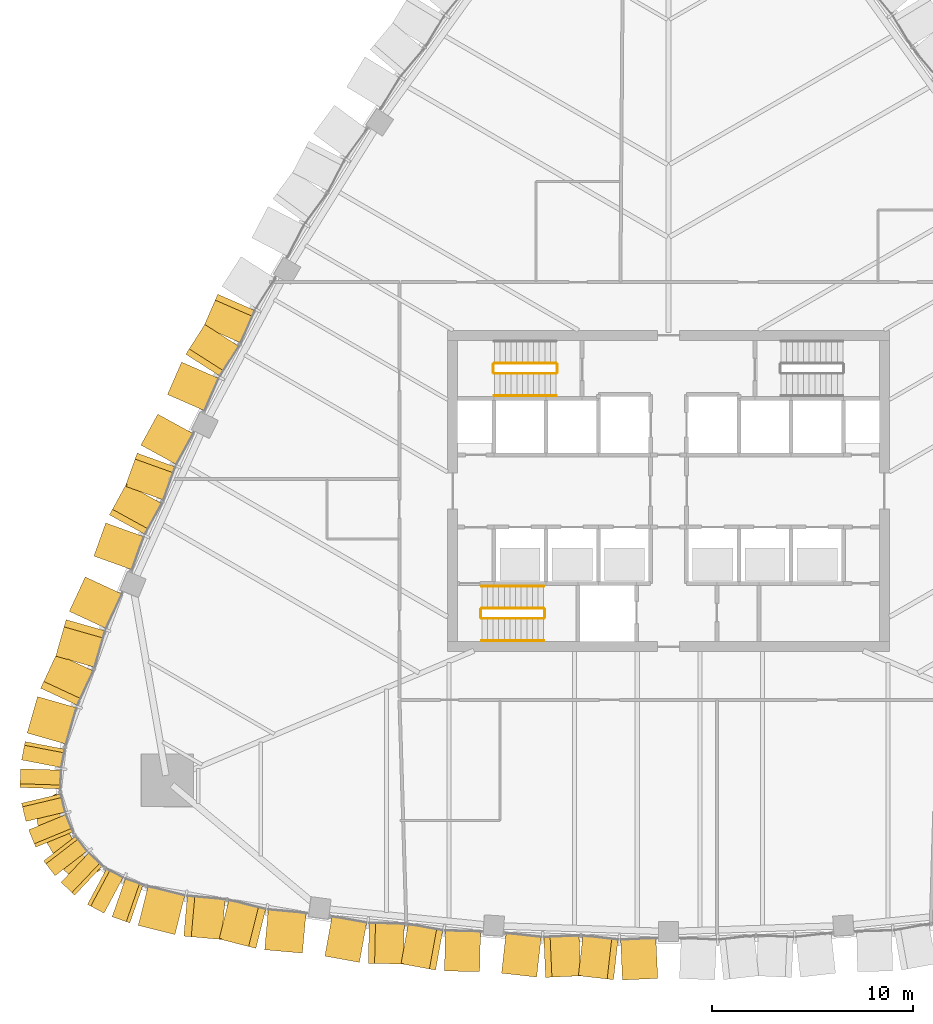
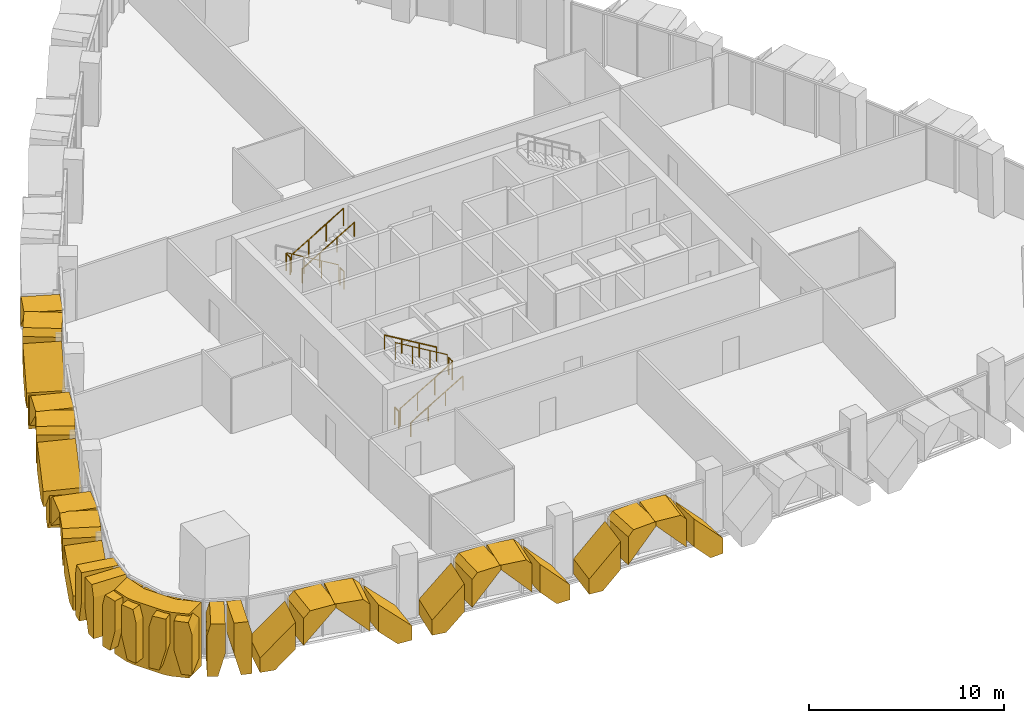
# One storey, part 15 of 18: 32 coverings, 11 railings.
"""IFC4 building model written with IfcOpenShell, lengths in metres."""

from ifc_helpers import new_model, si_unit, direction, frame, origin, origin_2d, place, context, subcontext, project, spatial, polyline, circle, outline, extrude, material, layer, layer_set, type_object, element, save


model = new_model("IFC4")

# Units and contexts
model_context = context("Model", 3, precision=1e-05, world=origin(), true_north=direction((0.0, 1.0)))
body_context = subcontext(model_context, "Body", "Model", "MODEL_VIEW")
ifc_project = project(units=[si_unit("LENGTHUNIT", "METRE"), si_unit("AREAUNIT", "SQUARE_METRE"), si_unit("VOLUMEUNIT", "CUBIC_METRE"), si_unit("PLANEANGLEUNIT", "RADIAN"), si_unit("MASSUNIT", "GRAM", prefix="KILO")], contexts=[model_context])

# Site, building, storey
site_placement = place(None, origin())
site = spatial("IfcSite", under=ifc_project, at=site_placement, CompositionType="ELEMENT")
building_placement = place(site_placement, origin())
building = spatial("IfcBuilding", under=site, at=building_placement, Name="Sierra Prisma Convention Tower", CompositionType="ELEMENT")
storey_placement = place(building_placement, frame((0.0, 0.0, 129.800048828125)))
storey = spatial("IfcBuildingStorey", under=building, at=storey_placement, Name="L27", CompositionType="ELEMENT", Elevation=129.800048828125)

# Coverings
ifc_material_1 = material(Name="Aluminium composite bronze anodised", Category="aluminium")
ifc_layer_1 = layer(ifc_material_1, 1.199951171875)
ifc_layer_set_1 = layer_set([ifc_layer_1], Name="Bronze corner pier")
covering_type_1 = type_object("IfcCoveringType", Name="Bronze corner pier", PredefinedType="CLADDING", material=ifc_layer_set_1)
covering_1_placement = place(storey_placement, frame((0.0, 0.0, -0.60009765625)))
element("IfcCovering", 1, at=covering_1_placement, inside=storey, type_object=covering_type_1, Name="Corner pier SW L27.1", PredefinedType="CLADDING", context=body_context, shape_type="SweptSolid", body=[
    extrude(outline(polyline([(-30.07275390625, -18.912353515625), (-30.3310546875, -18.60107421875), (-31.274658203125, -16.966796875), (-31.414794921875, -16.587646484375), (-31.582275390625, -15.693603515625), (-30.48046875, -15.0576171875), (-30.2353515625, -16.366943359375), (-29.2919921875, -18.001220703125), (-28.280517578125, -18.8681640625), (-29.382080078125, -19.504150390625), (-30.07275390625, -18.912353515625)])), origin(), (0.0, 0.0, 1.0), 4.0),
])
ifc_material_2 = material(Name="Aluminium 6063-T6 bronze anodised", Category="aluminium")
ifc_layer_2 = layer(ifc_material_2, 2.0)
ifc_layer_set_2 = layer_set([ifc_layer_2], Name="Bronze crystal chevron frame")
covering_type_2 = type_object("IfcCoveringType", Name="Bronze crystal chevron frame", PredefinedType="CLADDING", material=ifc_layer_set_2)
covering_2_placement = place(storey_placement, frame((-26.409423828125, -21.6328125, 0.0), z_axis=(-0.243286593139, -0.969954448506, 3.7706727e-05), x_axis=(0.969954449196, -0.243286593312, -4.665e-09)))
element("IfcCovering", 2, at=covering_2_placement, inside=storey, type_object=covering_type_2, Name="CW-2 chevron frame S1.1.1", PredefinedType="CLADDING", context=body_context, shape_type="SweptSolid", body=[
    extrude(outline(polyline([(0.0, 0.0), (0.7913793726549374, 8.470329472543003e-22), (1.888770394178366, 1.089843759585453), (1.8887703862894791, 2.7810058677582083), (-4.22289487253052e-09, 0.9052734368564423), (0.0, 0.0)])), origin(), (0.0, 0.0, -1.0), 2.0),
])
covering_3_placement = place(storey_placement, frame((-24.14013671875, -22.166259765625, 2.91015625), z_axis=(-0.088675766446, -0.996060544254, 2.5031601e-05), x_axis=(-2.219696e-06, -2.493299e-05, -0.999999999687)))
element("IfcCovering", 3, at=covering_3_placement, inside=storey, type_object=covering_type_2, Name="CW-2 chevron frame S1.1.2", PredefinedType="CLADDING", context=body_context, shape_type="SweptSolid", body=[
    extrude(outline(polyline([(0.0, 0.0), (1.691162108845175, 7.162350128943528e-22), (-0.1845703126739313, 1.888787629937354), (-0.36987304699087775, 1.888787629937354), (-0.369873048166635, 0.3723113270676471), (0.0, 0.0)])), origin(), (0.0, 0.0, -1.0), 2.0),
])
covering_4_placement = place(storey_placement, frame((-22.38134765625, -22.31298828125, 3.280029296875), z_axis=(-0.243264094205, -0.969960092177, 7.346904e-06), x_axis=(-1.787238e-06, -7.126204e-06, -0.999999999973)))
element("IfcCovering", 4, at=covering_4_placement, inside=storey, type_object=covering_type_2, Name="CW-2 chevron frame S1.2.1", PredefinedType="CLADDING", context=body_context, shape_type="SweptSolid", body=[
    extrude(outline(polyline([(0.0, 0.0), (0.18530273436999894, 0.0), (2.06103515621434, 1.8887703997073357), (0.3698730468849823, 1.8887703997073357), (-1.0128595263689599e-10, 1.51649941452143), (0.0, 0.0)])), origin(), (0.0, 0.0, -1.0), 2.0),
])
covering_5_placement = place(storey_placement, frame((-18.230712890625, -23.013671875, 0.0), z_axis=(-0.088541196607, -0.996072515682, 2.511692e-06), x_axis=(2.22388e-07, 2.501827e-06, 0.999999999997)))
element("IfcCovering", 5, at=covering_5_placement, inside=storey, type_object=covering_type_2, Name="CW-2 chevron frame S1.2.2", PredefinedType="CLADDING", context=body_context, shape_type="SweptSolid", body=[
    extrude(outline(polyline([(0.0, 0.0), (0.9052734374971445, 0.0), (2.7810058593731033, 1.8887659974477014), (1.0898437500034377, 1.8887659974477014), (-1.637986158064878e-11, 0.7914378604916142), (0.0, 0.0)])), origin(), (0.0, 0.0, -1.0), 2.0),
])
covering_6_placement = place(storey_placement, frame((-17.11669921875, -23.162353515625, 0.0), z_axis=(-0.177939231642, -0.984041477699, -3.269207e-06), x_axis=(0.984041477704, -0.177939231643, -3.8e-11)))
element("IfcCovering", 6, at=covering_6_placement, inside=storey, type_object=covering_type_2, Name="CW-2 chevron frame S2.1.1", PredefinedType="CLADDING", context=body_context, shape_type="SweptSolid", body=[
    extrude(outline(polyline([(0.0, 0.0), (0.7629057023276307, 1.0587911840678754e-22), (1.7520823520977438, 1.0539550781967593), (1.752082352031566, 2.807373046937389), (-3.5503029023712383e-11, 0.9406738281199731), (0.0, 0.0)])), origin(), (0.0, 0.0, -1.0), 2.0),
])
covering_7_placement = place(storey_placement, frame((-14.951416015625, -23.5185546875, 2.946044921875), z_axis=(-0.021735304754, -0.999763760318, -9.016815e-06), x_axis=(1.95983e-07, 9.014685e-06, -0.999999999959)))
element("IfcCovering", 7, at=covering_7_placement, inside=storey, type_object=covering_type_2, Name="CW-2 chevron frame S2.1.2", PredefinedType="CLADDING", context=body_context, shape_type="SweptSolid", body=[
    extrude(outline(polyline([(0.0, 0.0), (1.753662109303711, -4.641904953100311e-23), (-0.11328125002254887, 1.7521229707318715), (-0.3339843750135769, 1.7521229707318715), (-0.3339843751740987, 0.31355108809426785), (0.0, 0.0)])), origin(), (0.0, 0.0, -1.0), 2.0),
])
covering_8_placement = place(storey_placement, frame((-13.3232421875, -23.544189453125, 3.280029296875), z_axis=(-0.177948871522, -0.984039733668, -4.1075141e-05), x_axis=(7.309275e-06, 4.0419571e-05, -0.999999999156)))
element("IfcCovering", 8, at=covering_8_placement, inside=storey, type_object=covering_type_2, Name="CW-2 chevron frame S2.2.1", PredefinedType="CLADDING", context=body_context, shape_type="SweptSolid", body=[
    extrude(outline(polyline([(0.0, 0.0), (0.22070312481381849, 1.8694281843698425e-22), (2.0876464831773833, 1.7520823520872035), (0.33398437528174374, 1.7520823520872035), (-3.3310842403965586e-09, 1.4387487272307484), (0.0, 0.0)])), origin(), (0.0, 0.0, -1.0), 2.0),
])
covering_9_placement = place(storey_placement, frame((-9.40625, -23.938720703125, 0.0), z_axis=(-0.021859634029, -0.999761049267, 2.7706874e-05), x_axis=(6.05662e-07, 2.7700254e-05, 0.999999999616)))
element("IfcCovering", 9, at=covering_9_placement, inside=storey, type_object=covering_type_2, Name="CW-2 chevron frame S2.2.2", PredefinedType="CLADDING", context=body_context, shape_type="SweptSolid", body=[
    extrude(outline(polyline([(0.0, 0.0), (0.940673827763936, 9.959771563021299e-23), (2.8073730466065214, 1.7521282943826968), (1.0539550785295453, 1.7521282943826968), (-2.068175816256126e-09, 0.7628759702697803), (0.0, 0.0)])), origin(), (0.0, 0.0, -1.0), 2.0),
])
covering_10_placement = place(storey_placement, frame((-8.31689453125, -24.01123046875, 0.0), z_axis=(-0.111782863844, -0.993732655858, -5.617471e-06), x_axis=(0.993732655874, -0.111782863846, -1.11e-10)))
element("IfcCovering", 10, at=covering_10_placement, inside=storey, type_object=covering_type_2, Name="CW-2 chevron frame S3.1.1", PredefinedType="CLADDING", context=body_context, shape_type="SweptSolid", body=[
    extrude(outline(polyline([(0.0, 0.0), (0.7645556707582952, 0.0), (1.7603006511516517, 1.0561523439619391), (1.7603006509575732, 2.8056640626843357), (-1.0408085497168019e-10, 0.9382324218601966), (0.0, 0.0)])), origin(), (0.0, 0.0, -1.0), 2.0),
])
covering_11_placement = place(storey_placement, frame((-6.12451171875, -24.222900390625, 2.943603515625), z_axis=(0.045070698482, -0.998983798425, 5.1207562e-05), x_axis=(2.307961e-06, -5.1155525e-05, -0.999999998689)))
element("IfcCovering", 11, at=covering_11_placement, inside=storey, type_object=covering_type_2, Name="CW-2 chevron frame S3.1.2", PredefinedType="CLADDING", context=body_context, shape_type="SweptSolid", body=[
    extrude(outline(polyline([(0.0, 0.0), (1.7495117164562028, 7.409470336943745e-22), (-0.11791992260257488, 1.7600901617962568), (-0.33642578169109033, 1.7600901617962568), (-0.3364257868516543, 0.31697782213629033), (0.0, 0.0)])), origin(), (0.0, 0.0, -1.0), 2.0),
])
covering_12_placement = place(storey_placement, frame((-4.490234375, -24.139404296875, 3.280029296875), z_axis=(-0.111790858861, -0.993731756198, -2.4461716e-05), x_axis=(2.734596e-06, 2.4308384e-05, -0.999999999701)))
element("IfcCovering", 12, at=covering_12_placement, inside=storey, type_object=covering_type_2, Name="CW-2 chevron frame S3.2.1", PredefinedType="CLADDING", context=body_context, shape_type="SweptSolid", body=[
    extrude(outline(polyline([(0.0, 0.0), (0.2185058593096257, 0.0), (2.0859374995772217, 1.7603006512595747), (0.3364257813506545, 1.7603006512595747), (-1.1776136394684613e-09, 1.443133324068317), (0.0, 0.0)])), origin(), (0.0, 0.0, -1.0), 2.0),
])
covering_13_placement = place(storey_placement, frame((-0.53955078125, -24.271484375, 0.0), z_axis=(0.045119728341, -0.998981584328, 6.5480491e-05), x_axis=(-2.954462e-06, 6.5413805e-05, 0.999999997856)))
element("IfcCovering", 13, at=covering_13_placement, inside=storey, type_object=covering_type_2, Name="CW-2 chevron frame S3.2.2", PredefinedType="CLADDING", context=body_context, shape_type="SweptSolid", body=[
    extrude(outline(polyline([(0.0, 0.0), (0.938232419863573, 0.0), (2.8056640610135437, 1.7600901605219033), (1.0561523460142292, 1.7600901605219033), (-1.1524226309428988e-08, 0.7644583505653496), (0.0, 0.0)])), origin(), (0.0, 0.0, -1.0), 2.0),
])
covering_14_placement = place(storey_placement, frame((-22.4462890625, 9.794189453125, 2.943603515625), z_axis=(-0.916510714683, 0.400010135561, 3.6338637e-05), x_axis=(-3.330475e-05, 1.4535823e-05, -0.99999999934)))
element("IfcCovering", 14, at=covering_14_placement, inside=storey, type_object=covering_type_2, Name="CW-2 chevron frame NW4.1.2", PredefinedType="CLADDING", context=body_context, shape_type="SweptSolid", body=[
    extrude(outline(polyline([(0.0, 0.0), (1.7495117175948878, 2.963788134777498e-21), (-0.11791992224139265, 1.760237314048037), (-0.33642578147212454, 1.760237314048037), (-0.33642578407088497, 0.31695630168105443), (0.0, 0.0)])), origin(), (0.0, 0.0, -1.0), 2.0),
])
covering_15_placement = place(storey_placement, frame((-23.092041015625, 8.29052734375, 3.280029296875), z_axis=(-0.842648307708, 0.538464325154, -7.289398e-06), x_axis=(6.142399e-06, -3.925081e-06, -0.999999999973)))
element("IfcCovering", 15, at=covering_15_placement, inside=storey, type_object=covering_type_2, Name="CW-2 chevron frame NW4.2.1", PredefinedType="CLADDING", context=body_context, shape_type="SweptSolid", body=[
    extrude(outline(polyline([(0.0, 0.0), (0.2185058593691948, 0.0), (2.0859374999624576, 1.7601091259194401), (0.3364257812589381, 1.7601091259194401), (-1.0457126033977727e-10, 1.443155070267636), (0.0, 0.0)])), origin(), (0.0, 0.0, -1.0), 2.0),
])
covering_16_placement = place(storey_placement, frame((-24.952880859375, 4.802978515625, 0.0), z_axis=(-0.916462966594, 0.400119520719, 1.35592e-06), x_axis=(1.24265e-06, -5.4253e-07, 0.999999999999)))
element("IfcCovering", 16, at=covering_16_placement, inside=storey, type_object=covering_type_2, Name="CW-2 chevron frame NW4.2.2", PredefinedType="CLADDING", context=body_context, shape_type="SweptSolid", body=[
    extrude(outline(polyline([(0.0, 0.0), (0.9382324218741375, 0.0), (2.8056640624993623, 1.7603349854815027), (1.056152343750971, 1.7603349854815027), (-4.941468288282814e-12, 0.7645504085907613), (0.0, 0.0)])), origin(), (0.0, 0.0, -1.0), 2.0),
])
covering_17_placement = place(storey_placement, frame((-25.4345703125, 3.823486328125, 0.0), z_axis=(-0.876726439356, 0.480989345241, -1.7305628e-05), x_axis=(-0.480989345313, -0.876726439487, -1.057e-09)))
element("IfcCovering", 17, at=covering_17_placement, inside=storey, type_object=covering_type_2, Name="CW-2 chevron frame NW5.1.1", PredefinedType="CLADDING", context=body_context, shape_type="SweptSolid", body=[
    extrude(outline(polyline([(0.0, 0.0), (0.7629778882323088, 0.0), (1.7521332941178853, 1.0539550801356805), (1.752133292263668, 2.8073730486231194), (-9.94750685000992e-10, 0.9406738279841412), (0.0, 0.0)])), origin(), (0.0, 0.0, -1.0), 2.0),
])
covering_18_placement = place(storey_placement, frame((-26.45947265625, 1.883056640625, 2.946044921875), z_axis=(-0.941188839208, 0.3378809982, 2.344855e-06), x_axis=(-2.206952e-06, 7.92282e-07, -0.999999999997)))
element("IfcCovering", 18, at=covering_18_placement, inside=storey, type_object=covering_type_2, Name="CW-2 chevron frame NW5.1.2", PredefinedType="CLADDING", context=body_context, shape_type="SweptSolid", body=[
    extrude(outline(polyline([(0.0, 0.0), (1.753662109370179, 1.8567619812401243e-22), (-0.11328125000152493, 1.752219733765963), (-0.3339843750009182, 1.752219733765963), (-0.33398437501177397, 0.3136078271056917), (0.0, 0.0)])), origin(), (0.0, 0.0, -1.0), 2.0),
])
covering_19_placement = place(storey_placement, frame((-27.00048828125, 0.34716796875, 3.280029296875), z_axis=(-0.876723518402, 0.480994669162, 2.275377e-05), x_axis=(-1.9948765e-05, 1.0944442e-05, -0.999999999741)))
element("IfcCovering", 19, at=covering_19_placement, inside=storey, type_object=covering_type_2, Name="CW-2 chevron frame NW5.2.1", PredefinedType="CLADDING", context=body_context, shape_type="SweptSolid", body=[
    extrude(outline(polyline([(0.0, 0.0), (0.22070312494286723, 0.0), (2.087646484007492, 1.7521332953108835), (0.3339843750864575, 1.7521332953108835), (-1.0221961159360634e-09, 1.4385479956048783), (0.0, 0.0)])), origin(), (0.0, 0.0, -1.0), 2.0),
])
covering_20_placement = place(storey_placement, frame((-28.617431640625, -3.242431640625, 0.0), z_axis=(-0.941186019056, 0.337888853499, -1.4618757e-05), x_axis=(-1.375897e-05, 4.939515e-06, 0.999999999893)))
element("IfcCovering", 20, at=covering_20_placement, inside=storey, type_object=covering_type_2, Name="CW-2 chevron frame NW5.2.2", PredefinedType="CLADDING", context=body_context, shape_type="SweptSolid", body=[
    extrude(outline(polyline([(0.0, 0.0), (0.9406738280244853, -7.967817250417039e-22), (2.8073730468002593, 1.7522197336983978), (1.0539550782376195, 1.7522197336983978), (-5.757491182568711e-10, 0.7629000760922885), (0.0, 0.0)])), origin(), (0.0, 0.0, -1.0), 2.0),
])
covering_21_placement = place(storey_placement, frame((-29.0458984375, -4.28125, 0.0), z_axis=(-0.9069530396, 0.421231746112, 5.198569e-06), x_axis=(-0.421231746118, -0.906953039613, -8.9e-11)))
element("IfcCovering", 21, at=covering_21_placement, inside=storey, type_object=covering_type_2, Name="CW-2 chevron frame NW6.1.1", PredefinedType="CLADDING", context=body_context, shape_type="SweptSolid", body=[
    extrude(outline(polyline([(0.0, 0.0), (0.7916873668695302, -4.235164736271502e-22), (1.8888876316318186, 1.089843750182143), (1.8888876314819272, 2.781005859534291), (-8.023635476018732e-11, 0.9052734374877675), (0.0, 0.0)])), origin(), (0.0, 0.0, -1.0), 2.0),
])
covering_22_placement = place(storey_placement, frame((-29.996337890625, -6.409912109375, 2.91015625), z_axis=(-0.961683508889, 0.274162047336, 2.3042792e-05), x_axis=(-2.2159873e-05, 6.317459e-06, -0.999999999735)))
element("IfcCovering", 22, at=covering_22_placement, inside=storey, type_object=covering_type_2, Name="CW-2 chevron frame NW6.1.2", PredefinedType="CLADDING", context=body_context, shape_type="SweptSolid", body=[
    extrude(outline(polyline([(0.0, 0.0), (1.6911621089260216, 1.4324700257887057e-21), (-0.18457031264739093, 1.8887751490697433), (-0.3698730469731958, 1.8887751490697433), (-0.3698730479695428, 0.3724095321611238), (0.0, 0.0)])), origin(), (0.0, 0.0, -1.0), 2.0),
])
covering_23_placement = place(storey_placement, frame((-30.470947265625, -8.10986328125, 3.280029296875), z_axis=(-0.906956069281, 0.421225222341, 2.1415588e-05), x_axis=(-1.9422998e-05, 9.020786e-06, -0.999999999771)))
element("IfcCovering", 23, at=covering_23_placement, inside=storey, type_object=covering_type_2, Name="CW-2 chevron frame NW6.2.1", PredefinedType="CLADDING", context=body_context, shape_type="SweptSolid", body=[
    extrude(outline(polyline([(0.0, 0.0), (0.18530273433250755, 0.0), (2.0610351559470104, 1.8888876317203023), (0.369873046959817, 1.8888876317203023), (-8.605982259103255e-10, 1.5163107229801314), (0.0, 0.0)])), origin(), (0.0, 0.0, -1.0), 2.0),
])
covering_24_placement = place(storey_placement, frame((-31.939208984375, -12.054931640625, 0.0), z_axis=(-0.961683304092, 0.274162766522, -9.11625e-06), x_axis=(-8.766946e-06, 2.499336e-06, 0.999999999958)))
element("IfcCovering", 24, at=covering_24_placement, inside=storey, type_object=covering_type_2, Name="CW-2 chevron frame NW6.2.2", PredefinedType="CLADDING", context=body_context, shape_type="SweptSolid", body=[
    extrude(outline(polyline([(0.0, 0.0), (0.9052734374623832, 3.8339821391832833e-22), (2.7810058593500133, 1.8887751490628422), (1.0898437500452864, 1.8887751490628422), (-2.157794293245512e-10, 0.7915671976886227), (0.0, 0.0)])), origin(), (0.0, 0.0, -1.0), 2.0),
])
covering_25_placement = place(storey_placement, frame((-32.0400390625, -12.477783203125, 0.0), z_axis=(-0.982049068546, 0.188625623852, 3.1543343e-05), x_axis=(-0.188625623946, -0.982049069034, 1.697e-09)))
element("IfcCovering", 25, at=covering_25_placement, inside=storey, type_object=covering_type_2, Name="CW-2 chevron frame SW1.1.1", PredefinedType="CLADDING", context=body_context, shape_type="SweptSolid", body=[
    extrude(outline(polyline([(0.0, 0.0), (0.5605946156837863, 0.0), (0.9320098678756146, 1.4052734358517596), (0.9320098710571294, 3.280029294294085), (0.18616412102795268, 3.280029301454477), (4.371009539819546e-09, 2.57568359246862), (0.0, 0.0)])), origin(), (0.0, 0.0, -1.0), 2.0),
])
covering_26_placement = place(storey_placement, frame((-32.264892578125, -13.833740234375, 3.280029296875), z_axis=(-0.999464084038, 0.03273445627, 9.551291e-06), x_axis=(-9.546172e-06, 3.12656e-07, -0.999999999954)))
element("IfcCovering", 26, at=covering_26_placement, inside=storey, type_object=covering_type_2, Name="CW-2 chevron frame SW1.1.2", PredefinedType="CLADDING", context=body_context, shape_type="SweptSolid", body=[
    extrude(outline(polyline([(0.0, 0.0), (1.8747558592894857, 0.0), (3.2800292972310046, 0.371294465483471), (3.2800292968444507, 0.9318963105009751), (0.7043457032119367, 0.9318963105009751), (1.891932546263505e-11, 0.7457610581869332), (0.0, 0.0)])), origin(), (0.0, 0.0, -1.0), 2.0),
])
covering_27_placement = place(storey_placement, frame((-32.216552734375, -15.5478515625, 0.0), z_axis=(-0.972882687669, -0.231299105122, -1.648056e-06), x_axis=(0.231299105123, -0.972882687671, 8.7e-11)))
element("IfcCovering", 27, at=covering_27_placement, inside=storey, type_object=covering_type_2, Name="CW-2 chevron frame SW2.1.1", PredefinedType="CLADDING", context=body_context, shape_type="SweptSolid", body=[
    extrude(outline(polyline([(0.0, 0.0), (0.5606054074893999, -2.6469779601696886e-23), (0.9320125518394478, 1.405273437412582), (0.9320125520029234, 3.2800292967850364), (0.1859410925871881, 3.2800292969208353), (2.2459549201093707e-10, 2.5756835937465024), (0.0, 0.0)])), origin(), (0.0, 0.0, -1.0), 2.0),
])
covering_28_placement = place(storey_placement, frame((-31.864990234375, -16.87646484375, 3.280029296875), z_axis=(-0.924721691349, -0.380643919414, 1.2727158e-05), x_axis=(-1.1769079e-05, -4.844515e-06, -0.999999999919)))
element("IfcCovering", 28, at=covering_28_placement, inside=storey, type_object=covering_type_2, Name="CW-2 chevron frame SW2.1.2", PredefinedType="CLADDING", context=body_context, shape_type="SweptSolid", body=[
    extrude(outline(polyline([(0.0, 0.0), (1.874755859223163, -1.5879799809486749e-21), (3.2800292970820673, 0.37145416240034945), (3.280029296772224, 0.9319685511912407), (0.7043457032308289, 0.9319685511912407), (-4.109439373118574e-10, 0.7458563614713252), (0.0, 0.0)])), origin(), (0.0, 0.0, -1.0), 2.0),
])
covering_29_placement = place(storey_placement, frame((-31.116943359375, -18.41943359375, 0.0), z_axis=(-0.792020969348, -0.610493885119, 1.8562899e-05), x_axis=(0.610493885225, -0.792020969485, -6.06e-10)))
element("IfcCovering", 29, at=covering_29_placement, inside=storey, type_object=covering_type_2, Name="CW-2 chevron frame SW3.1.1", PredefinedType="CLADDING", context=body_context, shape_type="SweptSolid", body=[
    extrude(outline(polyline([(0.0, 0.0), (0.5606930103948806, 8.470329472543003e-22), (0.9321612926493532, 1.4052734381281253), (0.9321612915131936, 3.280029297180123), (0.1862477558450581, 3.2800292979793233), (-1.5609432679735319e-09, 2.575683593306234), (0.0, 0.0)])), origin(), (0.0, 0.0, -1.0), 2.0),
])
covering_30_placement = place(storey_placement, frame((-30.25048828125, -19.486572265625, 3.280029296875), z_axis=(-0.686687235547, -0.726952981623, -5.5189838e-05), x_axis=(3.7898157e-05, 4.0120417e-05, -0.999999998477)))
element("IfcCovering", 30, at=covering_30_placement, inside=storey, type_object=covering_type_2, Name="CW-2 chevron frame SW3.1.2", PredefinedType="CLADDING", context=body_context, shape_type="SweptSolid", body=[
    extrude(outline(polyline([(0.0, 0.0), (1.8747558565198235, 0.0), (3.280029299117518, 0.3713162778082625), (3.280029294753857, 0.9319096128384847), (0.7043457049265179, 0.9319096128384847), (-9.45466237536492e-09, 0.7457288681721335), (0.0, 0.0)])), origin(), (0.0, 0.0, -1.0), 2.0),
])
covering_31_placement = place(storey_placement, frame((-28.934814453125, -20.586181640625, 0.0), z_axis=(-0.471270403979, -0.881988778733, 2.2845114e-05), x_axis=(0.881988778963, -0.471270404102, 1.07e-10)))
element("IfcCovering", 31, at=covering_31_placement, inside=storey, type_object=covering_type_2, Name="CW-2 chevron frame SW4.1.1", PredefinedType="CLADDING", context=body_context, shape_type="SweptSolid", body=[
    extrude(outline(polyline([(0.0, 0.0), (0.5605326793553382, -8.470329472543003e-22), (0.931999920987059, 1.4052734374223756), (0.9319999211868357, 3.2800292963081588), (0.18622180779949019, 3.2800292989609017), (2.7446874322001375e-10, 2.5756835930778768), (0.0, 0.0)])), origin(), (0.0, 0.0, -1.0), 2.0),
])
covering_32_placement = place(storey_placement, frame((-27.70654296875, -21.203125, 3.280029296875), z_axis=(-0.327644702088, -0.94480101012, 2.1664082e-05), x_axis=(-7.098122e-06, -2.0468247e-05, -0.999999999765)))
element("IfcCovering", 32, at=covering_32_placement, inside=storey, type_object=covering_type_2, Name="CW-2 chevron frame SW4.1.2", PredefinedType="CLADDING", context=body_context, shape_type="SweptSolid", body=[
    extrude(outline(polyline([(0.0, 0.0), (1.8747558589350581, 1.5879799809486749e-21), (3.2800292994388234, 0.37138031207073896), (3.2800292968014544, 0.9320753824980232), (0.70434570365588, 0.9320753824980232), (8.631830619640877e-10, 0.7457685699985577), (0.0, 0.0)])), origin(), (0.0, 0.0, -1.0), 2.0),
])

# Railings
ifc_material_3 = material(Name="Stainless steel", Category="steel")
railing_type_1 = type_object("IfcRailingType", Name="Exit stair handrail", PredefinedType="HANDRAIL", material=ifc_material_3)
railing_1_placement = place(storey_placement, frame((-9.300048828125, -7.449951171875, 0.16650390625)))
element("IfcRailing", 33, at=railing_1_placement, inside=storey, type_object=railing_type_1, Name="L27 S1 stair handrail 1", PredefinedType="HANDRAIL", context=body_context, shape_type="SweptSolid", body=[
    extrude(circle(Radius=0.02392578125, at=origin_2d()), frame((0.0, 0.0, 0.8759765625), z_axis=(0.85927862911, 0.0, 0.511507807912), x_axis=(0.0, 1.0, 0.0)), (0.0, 0.0, 1.0), 3.58447265625),
    extrude(circle(Radius=0.02099609375, at=origin_2d()), origin(), (0.0, 0.0, 1.0), 0.851806640625),
    extrude(circle(Radius=0.02099609375, at=origin_2d()), frame((1.026611328125, 0.0, 0.611083984375)), (0.0, 0.0, 1.0), 0.851806640625),
    extrude(circle(Radius=0.02099609375, at=origin_2d()), frame((2.053466796875, 0.0, 1.222412109375)), (0.0, 0.0, 1.0), 0.851806640625),
    extrude(circle(Radius=0.02099609375, at=origin_2d()), frame((3.080078125, 0.0, 1.83349609375)), (0.0, 0.0, 1.0), 0.851806640625),
])
railing_2_placement = place(storey_placement, frame((-6.219970703125, -4.75, 2.16650390625)))
element("IfcRailing", 34, at=railing_2_placement, inside=storey, type_object=railing_type_1, Name="L27 S1 stair handrail 2", PredefinedType="HANDRAIL", context=body_context, shape_type="SweptSolid", body=[
    extrude(circle(Radius=0.02392578125, at=origin_2d()), frame((0.0, 0.0, 0.8759765625), z_axis=(-0.85927862911, 0.0, 0.511507807912), x_axis=(0.0, -1.0, 0.0)), (0.0, 0.0, 1.0), 3.58447265625),
    extrude(circle(Radius=0.02099609375, at=origin_2d()), origin(), (0.0, 0.0, 1.0), 0.851806640625),
    extrude(circle(Radius=0.02099609375, at=origin_2d()), frame((-1.026611328125, 0.0, 0.611083984375)), (0.0, 0.0, 1.0), 0.851806640625),
    extrude(circle(Radius=0.02099609375, at=origin_2d()), frame((-2.053466796875, 0.0, 1.222412109375)), (0.0, 0.0, 1.0), 0.851806640625),
    extrude(circle(Radius=0.02099609375, at=origin_2d()), frame((-3.080078125, 0.0, 1.83349609375)), (0.0, 0.0, 1.0), 0.851806640625),
])
railing_3_placement = place(storey_placement, frame((-8.679931640625, 4.75, 2.16650390625)))
element("IfcRailing", 35, at=railing_3_placement, inside=storey, type_object=railing_type_1, Name="L27 S3 stair handrail 2", PredefinedType="HANDRAIL", context=body_context, shape_type="SweptSolid", body=[
    extrude(circle(Radius=0.02392578125, at=origin_2d()), frame((0.0, 0.0, 0.8759765625), z_axis=(0.859260807169, 0.0, 0.511537745687), x_axis=(0.0, 1.0, 0.0)), (0.0, 0.0, 1.0), 3.584228515625),
    extrude(circle(Radius=0.02099609375, at=origin_2d()), origin(), (0.0, 0.0, 1.0), 0.851806640625),
    extrude(circle(Radius=0.02099609375, at=origin_2d()), frame((1.026611328125, 0.0, 0.611083984375)), (0.0, 0.0, 1.0), 0.851806640625),
    extrude(circle(Radius=0.02099609375, at=origin_2d()), frame((2.05322265625, 0.0, 1.222412109375)), (0.0, 0.0, 1.0), 0.851806640625),
    extrude(circle(Radius=0.02099609375, at=origin_2d()), frame((3.079833984375, 0.0, 1.83349609375)), (0.0, 0.0, 1.0), 0.851806640625),
])
ifc_material_4 = material(Name="Stainless steel", Category="steel")
railing_type_2 = type_object("IfcRailingType", Name="Stair guard 1100", PredefinedType="GUARDRAIL", material=ifc_material_4)
railing_4_placement = place(storey_placement, frame((-9.300048828125, -6.35009765625, 0.16650390625)))
element("IfcRailing", 36, at=railing_4_placement, inside=storey, type_object=railing_type_2, Name="L27 S1 stair guard 1", PredefinedType="GUARDRAIL", context=body_context, shape_type="SweptSolid", body=[
    extrude(circle(Radius=0.02392578125, at=origin_2d()), frame((0.0, 0.0, 1.076171875), z_axis=(0.85927862911, 0.0, 0.511507807912), x_axis=(0.0, 1.0, 0.0)), (0.0, 0.0, 1.0), 3.58447265625),
    extrude(circle(Radius=0.02099609375, at=origin_2d()), origin(), (0.0, 0.0, 1.0), 1.052001953125),
    extrude(circle(Radius=0.02099609375, at=origin_2d()), frame((1.026611328125, 0.0, 0.611083984375)), (0.0, 0.0, 1.0), 1.052001953125),
    extrude(circle(Radius=0.02099609375, at=origin_2d()), frame((2.053466796875, 0.0, 1.222412109375)), (0.0, 0.0, 1.0), 1.052001953125),
    extrude(circle(Radius=0.02099609375, at=origin_2d()), frame((3.080078125, 0.0, 1.83349609375)), (0.0, 0.0, 1.0), 1.052001953125),
])
railing_5_placement = place(storey_placement, frame((-6.169921875, -6.300048828125, 2.0)))
element("IfcRailing", 37, at=railing_5_placement, inside=storey, type_object=railing_type_2, Name="L27 S1 stair guard 2", PredefinedType="GUARDRAIL", context=body_context, shape_type="SweptSolid", body=[
    extrude(circle(Radius=0.02392578125, at=origin_2d()), frame((0.0, 0.0, 1.076171875), z_axis=(0.0, 1.0, 0.0), x_axis=(-1.0, 0.0, 0.0)), (0.0, 0.0, 1.0), 0.400146484375),
    extrude(circle(Radius=0.02099609375, at=origin_2d()), origin(), (0.0, 0.0, 1.0), 1.052001953125),
    extrude(circle(Radius=0.02099609375, at=origin_2d()), frame((0.0, 0.400146484375, 0.0)), (0.0, 0.0, 1.0), 1.052001953125),
])
railing_6_placement = place(storey_placement, frame((-6.219970703125, -5.85009765625, 2.16650390625)))
element("IfcRailing", 38, at=railing_6_placement, inside=storey, type_object=railing_type_2, Name="L27 S1 stair guard 3", PredefinedType="GUARDRAIL", context=body_context, shape_type="SweptSolid", body=[
    extrude(circle(Radius=0.02392578125, at=origin_2d()), frame((0.0, 0.0, 1.076171875), z_axis=(-0.85927862911, 0.0, 0.511507807912), x_axis=(0.0, -1.0, 0.0)), (0.0, 0.0, 1.0), 3.58447265625),
    extrude(circle(Radius=0.02099609375, at=origin_2d()), origin(), (0.0, 0.0, 1.0), 1.052001953125),
    extrude(circle(Radius=0.02099609375, at=origin_2d()), frame((-1.026611328125, 0.0, 0.611083984375)), (0.0, 0.0, 1.0), 1.052001953125),
    extrude(circle(Radius=0.02099609375, at=origin_2d()), frame((-2.053466796875, 0.0, 1.222412109375)), (0.0, 0.0, 1.0), 1.052001953125),
    extrude(circle(Radius=0.02099609375, at=origin_2d()), frame((-3.080078125, 0.0, 1.83349609375)), (0.0, 0.0, 1.0), 1.052001953125),
])
railing_7_placement = place(storey_placement, frame((-9.35009765625, -6.300048828125, 0.0)))
element("IfcRailing", 39, at=railing_7_placement, inside=storey, type_object=railing_type_2, Name="L27 S1 stair guard 4", PredefinedType="GUARDRAIL", context=body_context, shape_type="SweptSolid", body=[
    extrude(circle(Radius=0.02392578125, at=origin_2d()), frame((0.0, 0.0, 1.076171875), z_axis=(0.0, 1.0, 0.0), x_axis=(-1.0, 0.0, 0.0)), (0.0, 0.0, 1.0), 0.400146484375),
    extrude(circle(Radius=0.02099609375, at=origin_2d()), origin(), (0.0, 0.0, 1.0), 1.052001953125),
    extrude(circle(Radius=0.02099609375, at=origin_2d()), frame((0.0, 0.400146484375, 0.0)), (0.0, 0.0, 1.0), 1.052001953125),
])
railing_8_placement = place(storey_placement, frame((-5.60009765625, 6.35009765625, 0.16650390625)))
element("IfcRailing", 40, at=railing_8_placement, inside=storey, type_object=railing_type_2, Name="L27 S3 stair guard 1", PredefinedType="GUARDRAIL", context=body_context, shape_type="SweptSolid", body=[
    extrude(circle(Radius=0.02392578125, at=origin_2d()), frame((0.0, 0.0, 1.076171875), z_axis=(-0.859260807169, 0.0, 0.511537745687), x_axis=(0.0, -1.0, 0.0)), (0.0, 0.0, 1.0), 3.584228515625),
    extrude(circle(Radius=0.02099609375, at=origin_2d()), origin(), (0.0, 0.0, 1.0), 1.052001953125),
    extrude(circle(Radius=0.02099609375, at=origin_2d()), frame((-1.026611328125, 0.0, 0.611083984375)), (0.0, 0.0, 1.0), 1.052001953125),
    extrude(circle(Radius=0.02099609375, at=origin_2d()), frame((-2.05322265625, 0.0, 1.222412109375)), (0.0, 0.0, 1.0), 1.052001953125),
    extrude(circle(Radius=0.02099609375, at=origin_2d()), frame((-3.079833984375, 0.0, 1.83349609375)), (0.0, 0.0, 1.0), 1.052001953125),
])
railing_9_placement = place(storey_placement, frame((-8.72998046875, 6.300048828125, 2.0)))
element("IfcRailing", 41, at=railing_9_placement, inside=storey, type_object=railing_type_2, Name="L27 S3 stair guard 2", PredefinedType="GUARDRAIL", context=body_context, shape_type="SweptSolid", body=[
    extrude(circle(Radius=0.02392578125, at=origin_2d()), frame((0.0, 0.0, 1.076171875), z_axis=(0.0, -1.0, 0.0), x_axis=(1.0, 0.0, 0.0)), (0.0, 0.0, 1.0), 0.400146484375),
    extrude(circle(Radius=0.02099609375, at=origin_2d()), origin(), (0.0, 0.0, 1.0), 1.052001953125),
    extrude(circle(Radius=0.02099609375, at=origin_2d()), frame((0.0, -0.400146484375, 0.0)), (0.0, 0.0, 1.0), 1.052001953125),
])
railing_10_placement = place(storey_placement, frame((-8.679931640625, 5.85009765625, 2.16650390625)))
element("IfcRailing", 42, at=railing_10_placement, inside=storey, type_object=railing_type_2, Name="L27 S3 stair guard 3", PredefinedType="GUARDRAIL", context=body_context, shape_type="SweptSolid", body=[
    extrude(circle(Radius=0.02392578125, at=origin_2d()), frame((0.0, 0.0, 1.076171875), z_axis=(0.859260807169, 0.0, 0.511537745687), x_axis=(0.0, 1.0, 0.0)), (0.0, 0.0, 1.0), 3.584228515625),
    extrude(circle(Radius=0.02099609375, at=origin_2d()), origin(), (0.0, 0.0, 1.0), 1.052001953125),
    extrude(circle(Radius=0.02099609375, at=origin_2d()), frame((1.026611328125, 0.0, 0.611083984375)), (0.0, 0.0, 1.0), 1.052001953125),
    extrude(circle(Radius=0.02099609375, at=origin_2d()), frame((2.05322265625, 0.0, 1.222412109375)), (0.0, 0.0, 1.0), 1.052001953125),
    extrude(circle(Radius=0.02099609375, at=origin_2d()), frame((3.079833984375, 0.0, 1.83349609375)), (0.0, 0.0, 1.0), 1.052001953125),
])
railing_11_placement = place(storey_placement, frame((-5.550048828125, 6.300048828125, 0.0)))
element("IfcRailing", 43, at=railing_11_placement, inside=storey, type_object=railing_type_2, Name="L27 S3 stair guard 4", PredefinedType="GUARDRAIL", context=body_context, shape_type="SweptSolid", body=[
    extrude(circle(Radius=0.02392578125, at=origin_2d()), frame((0.0, 0.0, 1.076171875), z_axis=(0.0, -1.0, 0.0), x_axis=(1.0, 0.0, 0.0)), (0.0, 0.0, 1.0), 0.400146484375),
    extrude(circle(Radius=0.02099609375, at=origin_2d()), origin(), (0.0, 0.0, 1.0), 1.052001953125),
    extrude(circle(Radius=0.02099609375, at=origin_2d()), frame((0.0, -0.400146484375, 0.0)), (0.0, 0.0, 1.0), 1.052001953125),
])

save(model, "model.ifc")
